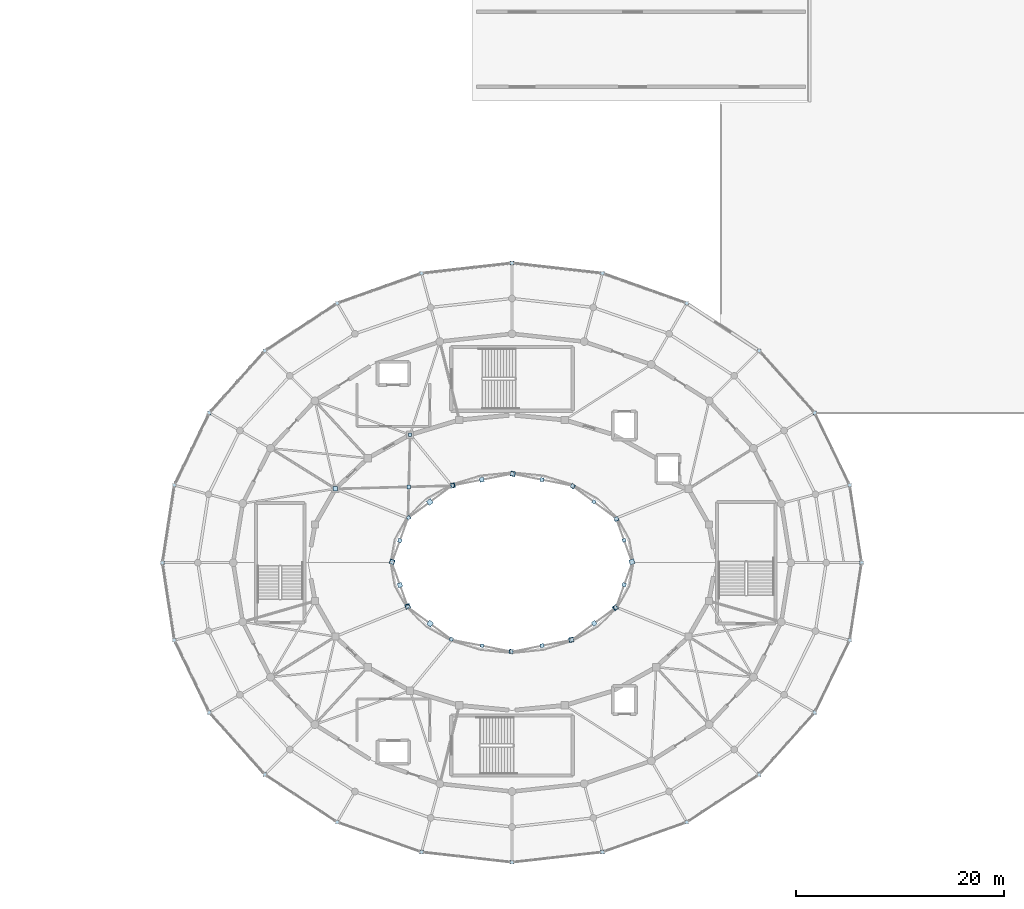
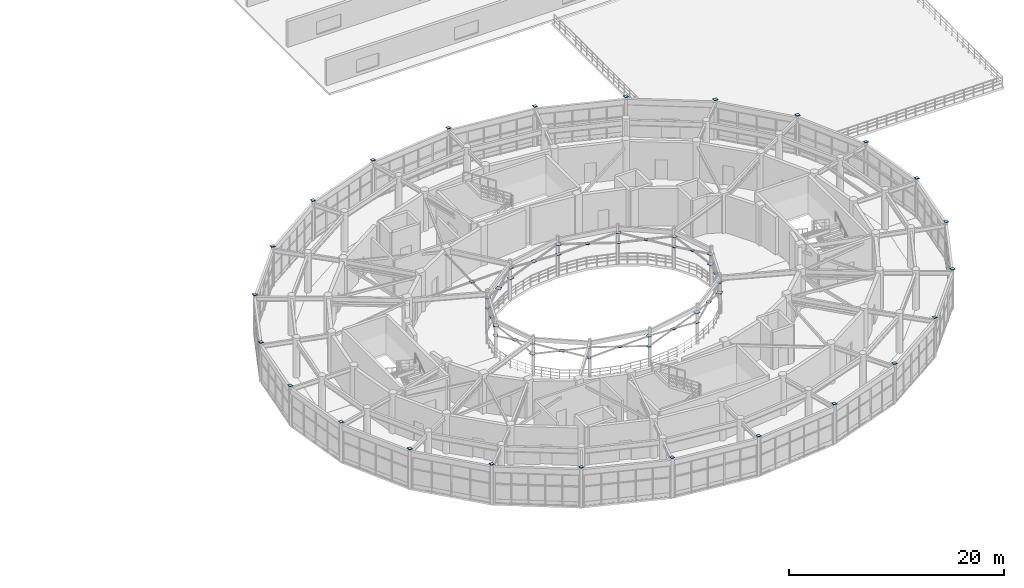
# One storey, part 37 of 60: 63 plates.
"""IFC4 building model written with IfcOpenShell, lengths in metres."""

from ifc_helpers import new_model, si_unit, direction, frame, origin, origin_2d, place, context, subcontext, project, spatial, rectangle, extrude, material, layer, layer_set, type_object, element, save


model = new_model("IFC4")

# Units and contexts
model_context = context("Model", 3, precision=1e-05, world=origin(), true_north=direction((0.0, 1.0)))
body_context = subcontext(model_context, "Body", "Model", "MODEL_VIEW")
ifc_project = project(units=[si_unit("LENGTHUNIT", "METRE"), si_unit("AREAUNIT", "SQUARE_METRE"), si_unit("VOLUMEUNIT", "CUBIC_METRE"), si_unit("PLANEANGLEUNIT", "RADIAN"), si_unit("MASSUNIT", "GRAM", prefix="KILO")], contexts=[model_context])

# Site, building, storey
site_placement = place(None, origin())
site = spatial("IfcSite", under=ifc_project, at=site_placement, CompositionType="ELEMENT")
building_placement = place(site_placement, origin())
building = spatial("IfcBuilding", under=site, at=building_placement, Name="Cinderbank Siding Concert Hall", CompositionType="ELEMENT")
storey_placement = place(building_placement, frame((0.0, 0.0, 14.699951171875)))
storey = spatial("IfcBuildingStorey", under=building, at=storey_placement, Name="L04", CompositionType="ELEMENT", Elevation=14.699951171875)

# Plates
ifc_material = material(Name="Structural steel welded plate section AS/NZS 3679.2 / AS/NZS 3678 Grade 350 (340 MPa)", Category="steel")
ifc_layer_1 = layer(ifc_material, 0.02490234375)
ifc_layer_set_1 = layer_set([ifc_layer_1], Name="Structural steel welded plate section AS/NZS 3679.2 / AS/NZS 3678 Grade 350 (340 MPa)")
plate_type_1 = type_object("IfcPlateType", Name="GP-01 Steel Gusset Cap Plate 480x480x25", PredefinedType="SHEET", material=ifc_layer_set_1)
for number, where, z_axis, x_axis, name in (
    (1, (133.522705078125, 44.0751953125, 2.3876953125), (0.0, 0.0, 1.0), (-0.340379550213, 0.94028812701, 0.0), "L04 Steel Node Gusset Plate GP-01 #1192"),
    (2, (133.522705078125, 44.0751953125, 3.527587890625), (0.0, 0.0, 1.0), (0.340379550213, -0.94028812701, 0.0), "L04 Steel Node Gusset Plate GP-01 #1196"),
    (3, (122.07861328125, 52.534423828125, 3.527587890625), (0.0, 0.0, 1.0), (-0.980887295008, 0.194576757325, 0.0), "L04 Steel Node Gusset Plate GP-01 #1200"),
    (4, (116.303466796875, 51.420166015625, 2.3876953125), (0.0, 0.0, 1.0), (0.980887295008, 0.194576757325, 0.0), "L04 Steel Node Gusset Plate GP-01 #1204"),
    (5, (114.099365234375, 49.8310546875, 2.954345703125), (0.0, 0.0, 1.0), (0.803753032213, 0.59496307718, 0.0), "L04 Steel Node Gusset Plate GP-01 #1208"),
    (6, (110.477294921875, 44.0751953125, 3.527587890625), (0.0, 0.0, 1.0), (-0.340379550213, -0.94028812701, 0.0), "L04 Steel Node Gusset Plate GP-01 #1212"),
    (7, (111.97021484375, 39.80029296875, 2.3876953125), (0.0, 0.0, 1.0), (-0.340379550213, 0.94028812701, 0.0), "L04 Steel Node Gusset Plate GP-01 #1216"),
    (8, (114.123046875, 38.151611328125, 2.954345703125), (0.0, 0.0, 1.0), (-0.803753032213, 0.59496307718, 0.0), "L04 Steel Node Gusset Plate GP-01 #1220"),
    (9, (127.696533203125, 36.579833984375, 3.527587890625), (0.0, 0.0, 1.0), (0.980887295008, 0.194576757325, 0.0), "L04 Steel Node Gusset Plate GP-01 #1224"),
    (10, (131.938232421875, 39.677490234375, 2.3876953125), (0.0, 0.0, 1.0), (-0.803753032213, -0.59496307718, 0.0), "L04 Steel Node Gusset Plate GP-01 #1228"),
):
    element("IfcPlate", number, at=place(storey_placement, frame(where, z_axis=z_axis, x_axis=x_axis)), inside=storey, type_object=plate_type_1, Name=name, PredefinedType="SHEET", context=body_context, shape_type="SweptSolid", body=[
        extrude(rectangle(XDim=0.47998046875, YDim=0.47998046875, at=origin_2d()), origin(), (0.0, 0.0, 1.0), 0.02490234375),
    ])
ifc_layer_2 = layer(ifc_material, 0.02197265625)
ifc_layer_set_2 = layer_set([ifc_layer_2], Name="Structural steel welded plate section AS/NZS 3679.2 / AS/NZS 3678 Grade 350 (340 MPa)")
plate_type_2 = type_object("IfcPlateType", Name="GP-02 Steel Gusset Cap Plate 420x420x22", PredefinedType="SHEET", material=ifc_layer_set_2)
for number, where, z_axis, x_axis, name in (
    (11, (132.02978515625, 48.19970703125, 3.529052734375), (0.0, 0.0, 1.0), (-0.340379550213, 0.94028812701, 0.0), "L04 Steel Node Gusset Plate GP-02 #1193"),
    (12, (127.83935546875, 51.35693359375, 3.529052734375), (0.0, 0.0, 1.0), (-0.803753032213, 0.59496307718, 0.0), "L04 Steel Node Gusset Plate GP-02 #1197"),
    (13, (122.07861328125, 52.534423828125, 2.38916015625), (0.0, 0.0, 1.0), (0.980887295008, -0.194576757325, 0.0), "L04 Steel Node Gusset Plate GP-02 #1201"),
    (14, (119.09814453125, 51.974365234375, 2.9560546875), (0.0, 0.0, 1.0), (0.980887295008, 0.194576757325, 0.0), "L04 Steel Node Gusset Plate GP-02 #1205"),
    (15, (105.02587890625, 51.10009765625, 3.529052734375), (0.0, 0.0, 1.0), (-0.999629364421, -0.027223772466, 0.0), "L04 Steel Node Gusset Plate GP-02 #1209"),
    (16, (110.477294921875, 44.0751953125, 2.38916015625), (0.0, 0.0, 1.0), (0.340379550213, 0.94028812701, 0.0), "L04 Steel Node Gusset Plate GP-02 #1213"),
    (17, (111.228515625, 41.848876953125, 2.955322265625), (0.0, 0.0, 1.0), (-0.340379550213, 0.94028812701, 0.0), "L04 Steel Node Gusset Plate GP-02 #1217"),
    (18, (121.92138671875, 35.465576171875, 3.529052734375), (0.0, 0.0, 1.0), (0.980887295008, -0.194576757325, 0.0), "L04 Steel Node Gusset Plate GP-02 #1221"),
    (19, (127.696533203125, 36.579833984375, 2.38916015625), (0.0, 0.0, 1.0), (-0.980887295008, -0.194576757325, 0.0), "L04 Steel Node Gusset Plate GP-02 #1225"),
    (20, (129.900634765625, 38.1689453125, 2.955810546875), (0.0, 0.0, 1.0), (-0.803753032213, -0.59496307718, 0.0), "L04 Steel Node Gusset Plate GP-02 #1229"),
):
    element("IfcPlate", number, at=place(storey_placement, frame(where, z_axis=z_axis, x_axis=x_axis)), inside=storey, type_object=plate_type_2, Name=name, PredefinedType="SHEET", context=body_context, shape_type="SweptSolid", body=[
        extrude(rectangle(XDim=0.419921875, YDim=0.419921875, at=origin_2d()), origin(), (0.0, 0.0, 1.0), 0.02197265625),
    ])
ifc_layer_3 = layer(ifc_material, 0.02001953125)
ifc_layer_set_3 = layer_set([ifc_layer_3], Name="Structural steel welded plate section AS/NZS 3679.2 / AS/NZS 3678 Grade 350 (340 MPa)")
plate_type_3 = type_object("IfcPlateType", Name="GP-03 Steel Gusset Cap Plate 360x360x20", PredefinedType="SHEET", material=ifc_layer_set_3)
for number, where, z_axis, x_axis, name in (
    (21, (155.60009765625, 44.0, 4.47998046875), (0.0, 0.0, 1.0), (1.0, 0.0, 0.0), "L04 Column End Cap Plate GP-03 COL-E4-01-L04"),
    (22, (154.455078125, 51.4541015625, 4.47998046875), (0.0, 0.0, 1.0), (1.0, 0.0, 0.0), "L04 Column End Cap Plate GP-03 COL-E4-02-L04"),
    (23, (151.09912109375, 58.39990234375, 4.47998046875), (0.0, 0.0, 1.0), (1.0, 0.0, 0.0), "L04 Column End Cap Plate GP-03 COL-E4-03-L04"),
    (24, (145.759033203125, 64.364990234375, 4.47998046875), (0.0, 0.0, 1.0), (1.0, 0.0, 0.0), "L04 Column End Cap Plate GP-03 COL-E4-04-L04"),
    (25, (138.800048828125, 68.94189453125, 4.47998046875), (0.0, 0.0, 1.0), (1.0, 0.0, 0.0), "L04 Column End Cap Plate GP-03 COL-E4-05-L04"),
    (26, (130.696044921875, 71.819091796875, 4.47998046875), (0.0, 0.0, 1.0), (1.0, 0.0, 0.0), "L04 Column End Cap Plate GP-03 COL-E4-06-L04"),
    (27, (122.0, 72.800048828125, 4.47998046875), (0.0, 0.0, 1.0), (1.0, 0.0, 0.0), "L04 Column End Cap Plate GP-03 COL-E4-07-L04"),
    (28, (113.303955078125, 71.819091796875, 4.47998046875), (0.0, 0.0, 1.0), (1.0, 0.0, 0.0), "L04 Column End Cap Plate GP-03 COL-E4-08-L04"),
    (29, (105.199951171875, 68.94189453125, 4.47998046875), (0.0, 0.0, 1.0), (1.0, 0.0, 0.0), "L04 Column End Cap Plate GP-03 COL-E4-09-L04"),
    (30, (98.240966796875, 64.364990234375, 4.47998046875), (0.0, 0.0, 1.0), (1.0, 0.0, 0.0), "L04 Column End Cap Plate GP-03 COL-E4-10-L04"),
    (31, (92.90087890625, 58.39990234375, 4.47998046875), (0.0, 0.0, 1.0), (1.0, 0.0, 0.0), "L04 Column End Cap Plate GP-03 COL-E4-11-L04"),
    (32, (89.544921875, 51.4541015625, 4.47998046875), (0.0, 0.0, 1.0), (1.0, 0.0, 0.0), "L04 Column End Cap Plate GP-03 COL-E4-12-L04"),
    (33, (88.39990234375, 44.0, 4.47998046875), (0.0, 0.0, 1.0), (1.0, 0.0, 0.0), "L04 Column End Cap Plate GP-03 COL-E4-13-L04"),
    (34, (89.544921875, 36.5458984375, 4.47998046875), (0.0, 0.0, 1.0), (1.0, 0.0, 0.0), "L04 Column End Cap Plate GP-03 COL-E4-14-L04"),
    (35, (92.90087890625, 29.60009765625, 4.47998046875), (0.0, 0.0, 1.0), (1.0, 0.0, 0.0), "L04 Column End Cap Plate GP-03 COL-E4-15-L04"),
    (36, (98.240966796875, 23.635009765625, 4.47998046875), (0.0, 0.0, 1.0), (1.0, 0.0, 0.0), "L04 Column End Cap Plate GP-03 COL-E4-16-L04"),
    (37, (105.199951171875, 19.05810546875, 4.47998046875), (0.0, 0.0, 1.0), (1.0, 0.0, 0.0), "L04 Column End Cap Plate GP-03 COL-E4-17-L04"),
    (38, (113.303955078125, 16.180908203125, 4.47998046875), (0.0, 0.0, 1.0), (1.0, 0.0, 0.0), "L04 Column End Cap Plate GP-03 COL-E4-18-L04"),
    (39, (122.0, 15.199951171875, 4.47998046875), (0.0, 0.0, 1.0), (1.0, 0.0, 0.0), "L04 Column End Cap Plate GP-03 COL-E4-19-L04"),
    (40, (130.696044921875, 16.180908203125, 4.47998046875), (0.0, 0.0, 1.0), (1.0, 0.0, 0.0), "L04 Column End Cap Plate GP-03 COL-E4-20-L04"),
    (41, (138.800048828125, 19.05810546875, 4.47998046875), (0.0, 0.0, 1.0), (1.0, 0.0, 0.0), "L04 Column End Cap Plate GP-03 COL-E4-21-L04"),
    (42, (145.759033203125, 23.635009765625, 4.47998046875), (0.0, 0.0, 1.0), (1.0, 0.0, 0.0), "L04 Column End Cap Plate GP-03 COL-E4-22-L04"),
    (43, (151.09912109375, 29.60009765625, 4.47998046875), (0.0, 0.0, 1.0), (1.0, 0.0, 0.0), "L04 Column End Cap Plate GP-03 COL-E4-23-L04"),
    (44, (154.455078125, 36.5458984375, 4.47998046875), (0.0, 0.0, 1.0), (1.0, 0.0, 0.0), "L04 Column End Cap Plate GP-03 COL-E4-24-L04"),
    (45, (132.02978515625, 48.19970703125, 2.39013671875), (0.0, 0.0, 1.0), (0.340379550213, -0.94028812701, 0.0), "L04 Steel Node Gusset Plate GP-03 #1194"),
    (46, (127.83935546875, 51.35693359375, 2.39013671875), (0.0, 0.0, 1.0), (0.803753032213, -0.59496307718, 0.0), "L04 Steel Node Gusset Plate GP-03 #1198"),
    (47, (124.873046875, 51.97998046875, 2.95703125), (0.0, 0.0, 1.0), (0.980887295008, -0.194576757325, 0.0), "L04 Steel Node Gusset Plate GP-03 #1202"),
    (48, (112.061767578125, 48.322509765625, 3.530029296875), (0.0, 0.0, 1.0), (-0.803753032213, -0.59496307718, 0.0), "L04 Steel Node Gusset Plate GP-03 #1206"),
    (49, (112.0732421875, 51.276611328125, 3.530029296875), (0.0, 0.0, 1.0), (0.025304572866, 0.999679788028, 0.0), "L04 Steel Node Gusset Plate GP-03 #1210"),
    (50, (111.21875, 46.123779296875, 2.956298828125), (0.0, 0.0, 1.0), (0.340379550213, 0.94028812701, 0.0), "L04 Steel Node Gusset Plate GP-03 #1214"),
    (51, (116.16064453125, 36.64306640625, 3.530029296875), (0.0, 0.0, 1.0), (0.803753032213, -0.59496307718, 0.0), "L04 Steel Node Gusset Plate GP-03 #1218"),
    (52, (121.92138671875, 35.465576171875, 2.39013671875), (0.0, 0.0, 1.0), (-0.980887295008, 0.194576757325, 0.0), "L04 Steel Node Gusset Plate GP-03 #1222"),
    (53, (124.90185546875, 36.025634765625, 2.95703125), (0.0, 0.0, 1.0), (-0.980887295008, -0.194576757325, 0.0), "L04 Steel Node Gusset Plate GP-03 #1226"),
    (54, (132.78125, 41.876220703125, 2.956298828125), (0.0, 0.0, 1.0), (-0.340379550213, -0.94028812701, 0.0), "L04 Steel Node Gusset Plate GP-03 #1230"),
):
    element("IfcPlate", number, at=place(storey_placement, frame(where, z_axis=z_axis, x_axis=x_axis)), inside=storey, type_object=plate_type_3, Name=name, PredefinedType="SHEET", context=body_context, shape_type="SweptSolid", body=[
        extrude(rectangle(XDim=0.360107421875, YDim=0.360107421875, at=origin_2d()), origin(), (0.0, 0.0, 1.0), 0.02001953125),
    ])
ifc_layer_4 = layer(ifc_material, 0.02099609375)
ifc_layer_set_4 = layer_set([ifc_layer_4], Name="Structural steel welded plate section AS/NZS 3679.2 / AS/NZS 3678 Grade 350 (340 MPa)")
plate_type_4 = type_object("IfcPlateType", Name="GP-04 Steel Gusset Cap Plate 320x320x21", PredefinedType="SHEET", material=ifc_layer_set_4)
for number, where, z_axis, x_axis, name in (
    (55, (132.771484375, 46.151123046875, 2.955810546875), (0.0, 0.0, 1.0), (0.340379550213, -0.94028812701, 0.0), "L04 Steel Node Gusset Plate GP-04 #1195"),
    (56, (129.876953125, 49.848388671875, 2.956298828125), (0.0, 0.0, 1.0), (0.803753032213, -0.59496307718, 0.0), "L04 Steel Node Gusset Plate GP-04 #1199"),
    (57, (116.303466796875, 51.420166015625, 3.529541015625), (0.0, 0.0, 1.0), (-0.980887295008, -0.194576757325, 0.0), "L04 Steel Node Gusset Plate GP-04 #1203"),
    (58, (112.061767578125, 48.322509765625, 2.3896484375), (0.0, 0.0, 1.0), (0.803753032213, 0.59496307718, 0.0), "L04 Steel Node Gusset Plate GP-04 #1207"),
    (59, (112.199951171875, 56.297607421875, 3.529541015625), (0.0, 0.0, 1.0), (0.025304572866, 0.999679788028, 0.0), "L04 Steel Node Gusset Plate GP-04 #1211"),
    (60, (111.97021484375, 39.80029296875, 3.529541015625), (0.0, 0.0, 1.0), (0.340379550213, -0.94028812701, 0.0), "L04 Steel Node Gusset Plate GP-04 #1215"),
    (61, (116.16064453125, 36.64306640625, 2.3896484375), (0.0, 0.0, 1.0), (-0.803753032213, 0.59496307718, 0.0), "L04 Steel Node Gusset Plate GP-04 #1219"),
    (62, (119.126953125, 36.02001953125, 2.95654296875), (0.0, 0.0, 1.0), (-0.980887295008, 0.194576757325, 0.0), "L04 Steel Node Gusset Plate GP-04 #1223"),
    (63, (131.938232421875, 39.677490234375, 3.529541015625), (0.0, 0.0, 1.0), (0.803753032213, 0.59496307718, 0.0), "L04 Steel Node Gusset Plate GP-04 #1227"),
):
    element("IfcPlate", number, at=place(storey_placement, frame(where, z_axis=z_axis, x_axis=x_axis)), inside=storey, type_object=plate_type_4, Name=name, PredefinedType="SHEET", context=body_context, shape_type="SweptSolid", body=[
        extrude(rectangle(XDim=0.320068359375, YDim=0.320068359375, at=origin_2d()), origin(), (0.0, 0.0, 1.0), 0.02099609375),
    ])

save(model, "model.ifc")
